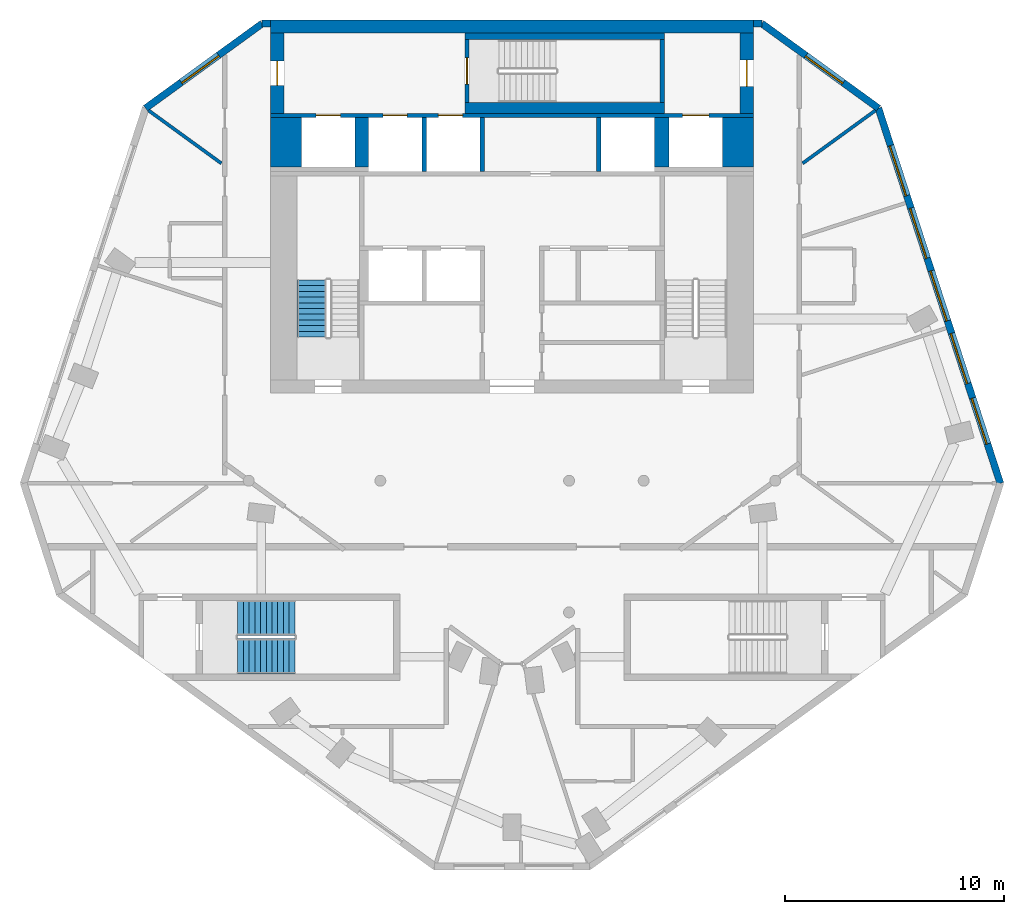
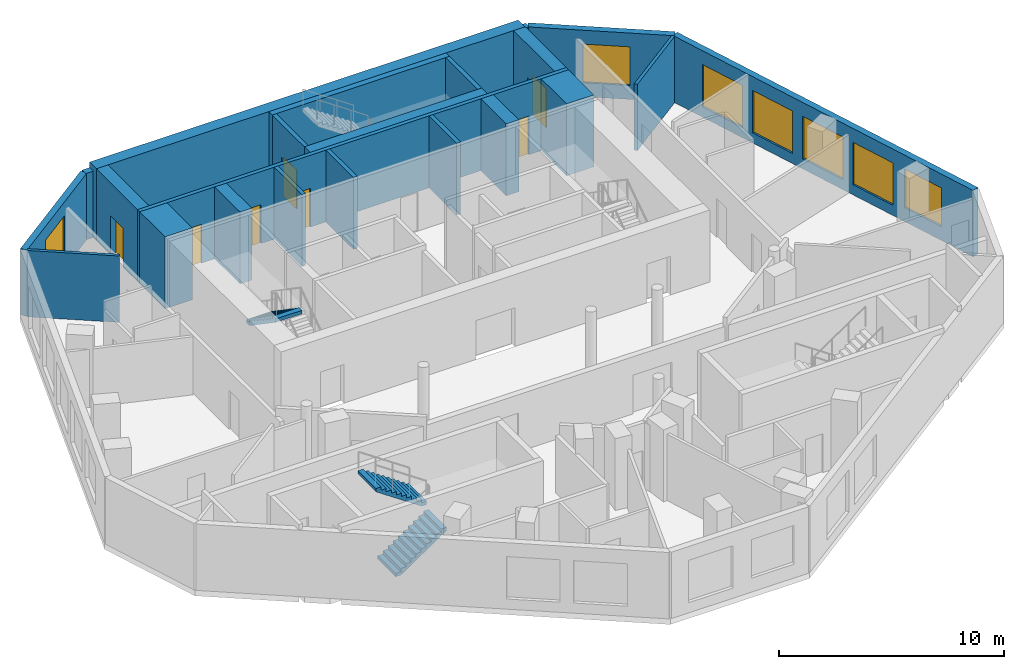
# One storey, part 5 of 8: 22 walls, 7 doors, 7 windows, 3 stair flights, 14 openings, 2 elements without a shape of their own.
"""IFC4 building model written with IfcOpenShell, lengths in metres."""

from ifc_helpers import new_model, si_unit, direction, frame, frame_2d, origin, place, context, subcontext, project, spatial, polyline, rectangle, outline, extrude, material, layer, layer_set, type_object, element, fill, aggregate, save


model = new_model("IFC4")

# Units and contexts
model_context = context("Model", 3, precision=1e-05, world=origin(), true_north=direction((0.0, 1.0)))
body_context = subcontext(model_context, "Body", "Model", "MODEL_VIEW")
ifc_project = project(units=[si_unit("LENGTHUNIT", "METRE"), si_unit("AREAUNIT", "SQUARE_METRE"), si_unit("VOLUMEUNIT", "CUBIC_METRE"), si_unit("PLANEANGLEUNIT", "RADIAN"), si_unit("MASSUNIT", "GRAM", prefix="KILO")], contexts=[model_context])

# Site, building, storey
site_placement = place(None, origin())
site = spatial("IfcSite", under=ifc_project, at=site_placement, CompositionType="ELEMENT")
building_placement = place(site_placement, origin())
building = spatial("IfcBuilding", under=site, at=building_placement, Name="White Candle Pilgrim Tower", CompositionType="ELEMENT")
storey_placement = place(building_placement, frame((0.0, 0.0, 310.0)))
storey = spatial("IfcBuildingStorey", under=building, at=storey_placement, Name="L73", CompositionType="ELEMENT", Elevation=310.0)

# Walls
ifc_material_1 = material(Name="Concrete C40/50", Category="concrete")
ifc_layer_1 = layer(ifc_material_1, 1.39990234375)
ifc_layer_set_1 = layer_set([ifc_layer_1], Name="Core wall 1400 mm Concrete C40/50")
wall_type_1 = type_object("IfcWallType", Name="Core wall 1400 mm Concrete C40/50", PredefinedType="SHEAR", material=ifc_layer_set_1)
for number, where, z_axis, x_axis, name in (
    (1, (59.699951171875, 81.300048828125, 0.0), (0.0, 0.0, 1.0), (0.0, 1.0, 0.0), "WL-L73-C39"),
    (2, (80.300048828125, 81.300048828125, 0.0), (0.0, 0.0, 1.0), (0.0, 1.0, 0.0), "WL-L73-C42"),
):
    element("IfcWall", number, at=place(storey_placement, frame(where, z_axis=z_axis, x_axis=x_axis)), inside=storey, type_object=wall_type_1, Name=name, PredefinedType="SHEAR", context=body_context, shape_type="SweptSolid", body=[
        extrude(rectangle(XDim=2.25, YDim=1.39990234375, at=frame_2d((1.125, 0.0))), origin(), (0.0, 0.0, 1.0), 3.89990234375),
    ])

# Wall, openings, doors
ifc_layer_2 = layer(ifc_material_1, 0.199951171875)
ifc_layer_set_2 = layer_set([ifc_layer_2], Name="Core wall 200 mm Concrete C40/50")
wall_type_2 = type_object("IfcWallType", Name="Core wall 200 mm Concrete C40/50", PredefinedType="SHEAR", material=ifc_layer_set_2)
wall_1_placement = place(storey_placement, frame((59.0, 83.64990234375, 0.0), z_axis=(0.0, 0.0, 1.0), x_axis=(1.0, 0.0, 0.0)))
wall_1 = element("IfcWall", 3, at=wall_1_placement, inside=storey, type_object=wall_type_2, Name="WL-L73-C43", PredefinedType="SHEAR", context=body_context, shape_type="SweptSolid", body=[
    extrude(rectangle(XDim=22.0, YDim=0.199951171875, at=frame_2d((11.0, 0.0))), origin(), (0.0, 0.0, 1.0), 3.89990234375),
])
opening_1_placement = place(wall_1_placement, frame((5.125, 0.0, 0.0)))
opening_1 = element("IfcOpeningElement", 4, at=opening_1_placement, cuts=wall_1, Name="Opening T22-016", PredefinedType="OPENING", context=body_context, shape_type="SweptSolid", body=[
    extrude(rectangle(XDim=1.10009765625, YDim=2.10009765625, at=frame_2d((0.550048828125, 1.050048828125))), frame((0.0, 0.10986328125, 0.0), z_axis=(0.0, -1.0, 0.0), x_axis=(1.0, 0.0, 0.0)), (0.0, 0.0, 1.0), 0.219970703125),
])
opening_2_placement = place(wall_1_placement, frame((7.64990234375, 0.0, 0.0)))
opening_2 = element("IfcOpeningElement", 5, at=opening_2_placement, cuts=wall_1, Name="Opening T22-017", PredefinedType="OPENING", context=body_context, shape_type="SweptSolid", body=[
    extrude(rectangle(XDim=1.10009765625, YDim=2.10009765625, at=frame_2d((0.550048828125, 1.050048828125))), frame((0.0, 0.10986328125, 0.0), z_axis=(0.0, -1.0, 0.0), x_axis=(1.0, 0.0, 0.0)), (0.0, 0.0, 1.0), 0.219970703125),
])
opening_3_placement = place(wall_1_placement, frame((18.77490234375, 0.0, 0.0)))
opening_3 = element("IfcOpeningElement", 6, at=opening_3_placement, cuts=wall_1, Name="Opening T22-018", PredefinedType="OPENING", context=body_context, shape_type="SweptSolid", body=[
    extrude(rectangle(XDim=1.199951171875, YDim=2.10009765625, at=frame_2d((0.60009765625, 1.050048828125))), frame((0.0, 0.10986328125, 0.0), z_axis=(0.0, -1.0, 0.0), x_axis=(1.0, 0.0, 0.0)), (0.0, 0.0, 1.0), 0.219970703125),
])
opening_4_placement = place(wall_1_placement, frame((2.074951171875, 0.0, 0.0)))
opening_4 = element("IfcOpeningElement", 7, at=opening_4_placement, cuts=wall_1, Name="Opening T22-019", PredefinedType="OPENING", context=body_context, shape_type="SweptSolid", body=[
    extrude(rectangle(XDim=1.10009765625, YDim=2.10009765625, at=frame_2d((0.550048828125, 1.050048828125))), frame((0.0, 0.10986328125, 0.0), z_axis=(0.0, -1.0, 0.0), x_axis=(1.0, 0.0, 0.0)), (0.0, 0.0, 1.0), 0.219970703125),
])
ifc_material_2 = material(Name="Stainless steel", Category="steel")
door_type_1 = type_object("IfcDoorType", Name="Lift landing door 1100 x 2100 EI 60", OperationType="DOUBLE_DOOR_SLIDING", PredefinedType="DOOR", material=ifc_material_2)
door_1_placement = place(opening_1_placement, origin())
door_1 = element("IfcDoor", 8, at=door_1_placement, inside=storey, type_object=door_type_1, Name="Door T22-016", OperationType="DOUBLE_DOOR_SLIDING", OverallHeight=2.10009765625, OverallWidth=1.10009765625, PredefinedType="DOOR", context=body_context, shape_type="SweptSolid", body=[
    extrude(rectangle(XDim=1.10009765625, YDim=2.10009765625, at=frame_2d((0.550048828125, 1.050048828125))), frame((0.0, 0.02490234375, 0.0), z_axis=(0.0, -1.0, 0.0), x_axis=(1.0, 0.0, 0.0)), (0.0, 0.0, 1.0), 0.050048828125),
])
fill(opening_1, door_1)
door_2_placement = place(opening_2_placement, origin())
door_2 = element("IfcDoor", 9, at=door_2_placement, inside=storey, type_object=door_type_1, Name="Door T22-017", OperationType="DOUBLE_DOOR_SLIDING", OverallHeight=2.10009765625, OverallWidth=1.10009765625, PredefinedType="DOOR", context=body_context, shape_type="SweptSolid", body=[
    extrude(rectangle(XDim=1.10009765625, YDim=2.10009765625, at=frame_2d((0.550048828125, 1.050048828125))), frame((0.0, 0.02490234375, 0.0), z_axis=(0.0, -1.0, 0.0), x_axis=(1.0, 0.0, 0.0)), (0.0, 0.0, 1.0), 0.050048828125),
])
fill(opening_2, door_2)
door_3_placement = place(opening_4_placement, origin())
door_3 = element("IfcDoor", 10, at=door_3_placement, inside=storey, type_object=door_type_1, Name="Door T22-019", OperationType="DOUBLE_DOOR_SLIDING", OverallHeight=2.10009765625, OverallWidth=1.10009765625, PredefinedType="DOOR", context=body_context, shape_type="SweptSolid", body=[
    extrude(rectangle(XDim=1.10009765625, YDim=2.10009765625, at=frame_2d((0.550048828125, 1.050048828125))), frame((0.0, 0.02490234375, 0.0), z_axis=(0.0, -1.0, 0.0), x_axis=(1.0, 0.0, 0.0)), (0.0, 0.0, 1.0), 0.050048828125),
])
fill(opening_4, door_3)
door_type_2 = type_object("IfcDoorType", Name="Lift landing door 1200 x 2100 E 60", OperationType="DOUBLE_DOOR_SLIDING", PredefinedType="DOOR", material=ifc_material_2)
door_4_placement = place(opening_3_placement, origin())
door_4 = element("IfcDoor", 11, at=door_4_placement, inside=storey, type_object=door_type_2, Name="Door T22-018", OperationType="DOUBLE_DOOR_SLIDING", OverallHeight=2.10009765625, OverallWidth=1.199951171875, PredefinedType="DOOR", context=body_context, shape_type="SweptSolid", body=[
    extrude(rectangle(XDim=1.199951171875, YDim=2.10009765625, at=frame_2d((0.60009765625, 1.050048828125))), frame((0.0, 0.02490234375, 0.0), z_axis=(0.0, -1.0, 0.0), x_axis=(1.0, 0.0, 0.0)), (0.0, 0.0, 1.0), 0.050048828125),
])
fill(opening_3, door_4)

# Wall, opening, door
ifc_layer_3 = layer(ifc_material_1, 0.60009765625)
ifc_layer_set_3 = layer_set([ifc_layer_3], Name="Core wall 600 mm Concrete C40/50")
wall_type_3 = type_object("IfcWallType", Name="Core wall 600 mm Concrete C40/50", PredefinedType="SHEAR", material=ifc_layer_set_3)
wall_2_placement = place(storey_placement, frame((59.300048828125, 83.75, 0.0), z_axis=(0.0, 0.0, 1.0), x_axis=(0.0, 1.0, 0.0)))
wall_2 = element("IfcWall", 12, at=wall_2_placement, inside=storey, type_object=wall_type_3, Name="WL-L73-C44", PredefinedType="SHEAR", context=body_context, shape_type="SweptSolid", body=[
    extrude(rectangle(XDim=3.64990234375, YDim=0.60009765625, at=frame_2d((1.824951171875, 0.0))), origin(), (0.0, 0.0, 1.0), 3.89990234375),
])
opening_5_placement = place(wall_2_placement, frame((1.27490234375, 0.0, 0.0)))
opening_5 = element("IfcOpeningElement", 13, at=opening_5_placement, cuts=wall_2, Name="Opening T22-008", PredefinedType="OPENING", context=body_context, shape_type="SweptSolid", body=[
    extrude(rectangle(XDim=1.10009765625, YDim=2.10009765625, at=frame_2d((0.550048828125, 1.050048828125))), frame((0.0, 0.31005859375, 0.0), z_axis=(0.0, -1.0, 0.0), x_axis=(1.0, 0.0, 0.0)), (0.0, 0.0, 1.0), 0.6201171875),
])
ifc_material_3 = material(Name="Steel door leaf", Category="steel")
door_type_3 = type_object("IfcDoorType", Name="Fire door 1100 x 2100 EI 60", OperationType="NOTDEFINED", PredefinedType="DOOR", material=ifc_material_3)
door_5_placement = place(opening_5_placement, origin())
door_5 = element("IfcDoor", 14, at=door_5_placement, inside=storey, type_object=door_type_3, Name="Door T22-008", OperationType="SINGLE_SWING_RIGHT", OverallHeight=2.10009765625, OverallWidth=1.10009765625, PredefinedType="DOOR", context=body_context, shape_type="SweptSolid", body=[
    extrude(rectangle(XDim=1.10009765625, YDim=2.10009765625, at=frame_2d((0.550048828125, 1.050048828125))), frame((0.0, 0.02490234375, 0.0), z_axis=(0.0, -1.0, 0.0), x_axis=(1.0, 0.0, 0.0)), (0.0, 0.0, 1.0), 0.050048828125),
])
fill(opening_5, door_5)

wall_3_placement = place(storey_placement, frame((80.699951171875, 83.75, 0.0), z_axis=(0.0, 0.0, 1.0), x_axis=(0.0, 1.0, 0.0)))
wall_3 = element("IfcWall", 15, at=wall_3_placement, inside=storey, type_object=wall_type_3, Name="WL-L73-C46", PredefinedType="SHEAR", context=body_context, shape_type="SweptSolid", body=[
    extrude(rectangle(XDim=3.64990234375, YDim=0.60009765625, at=frame_2d((1.824951171875, 0.0))), origin(), (0.0, 0.0, 1.0), 3.89990234375),
])
opening_6_placement = place(wall_3_placement, frame((1.22509765625, 0.0, 0.0)))
opening_6 = element("IfcOpeningElement", 16, at=opening_6_placement, cuts=wall_3, Name="Opening T22-009", PredefinedType="OPENING", context=body_context, shape_type="SweptSolid", body=[
    extrude(rectangle(XDim=1.199951171875, YDim=2.10009765625, at=frame_2d((0.60009765625, 1.050048828125))), frame((0.0, 0.31005859375, 0.0), z_axis=(0.0, -1.0, 0.0), x_axis=(1.0, 0.0, 0.0)), (0.0, 0.0, 1.0), 0.6201171875),
])
door_type_4 = type_object("IfcDoorType", Name="Fire door 1200 x 2100 EI 30", OperationType="NOTDEFINED", PredefinedType="DOOR", material=ifc_material_3)
door_6_placement = place(opening_6_placement, origin())
door_6 = element("IfcDoor", 17, at=door_6_placement, inside=storey, type_object=door_type_4, Name="Door T22-009", OperationType="SINGLE_SWING_LEFT", OverallHeight=2.10009765625, OverallWidth=1.199951171875, PredefinedType="DOOR", context=body_context, shape_type="SweptSolid", body=[
    extrude(rectangle(XDim=1.199951171875, YDim=2.10009765625, at=frame_2d((0.60009765625, 1.050048828125))), frame((0.0, 0.02490234375, 0.0), z_axis=(0.0, -1.0, 0.0), x_axis=(1.0, 0.0, 0.0)), (0.0, 0.0, 1.0), 0.050048828125),
])
fill(opening_6, door_6)

# Wall
wall_4_placement = place(storey_placement, frame((59.0, 87.699951171875, 0.0), z_axis=(0.0, 0.0, 1.0), x_axis=(1.0, 0.0, 0.0)))
element("IfcWall", 18, at=wall_4_placement, inside=storey, type_object=wall_type_3, Name="WL-L73-C50", PredefinedType="SHEAR", context=body_context, shape_type="SweptSolid", body=[
    extrude(rectangle(XDim=22.0, YDim=0.60009765625, at=frame_2d((11.0, 0.0))), origin(), (0.0, 0.0, 1.0), 3.89990234375),
])

# Wall, openings, windows
ifc_material_4 = material(Name="Precast concrete C40/50", Category="concrete")
ifc_layer_4 = layer(ifc_material_4, 0.320068359375)
ifc_layer_set_4 = layer_set([ifc_layer_4], Name="Facade wall EW1 precast concrete C40/50 pier wall with timber-lined reveals")
wall_type_4 = type_object("IfcWallType", Name="Facade wall EW1 precast concrete C40/50 pier wall with timber-lined reveals", PredefinedType="SOLIDWALL", material=ifc_layer_set_4)
wall_5_placement = place(storey_placement, frame((92.255859375, 66.8837890625, 0.0), z_axis=(0.0, 0.0, 1.0), x_axis=(-0.309017883781, 0.951056227309, 0.0)))
wall_5 = element("IfcWall", 19, at=wall_5_placement, inside=storey, type_object=wall_type_4, Name="Facade wall L73 ENE", PredefinedType="SOLIDWALL", context=body_context, shape_type="SweptSolid", body=[
    extrude(rectangle(XDim=17.972900390625, YDim=0.320068359375, at=frame_2d((8.986328125, 0.0))), origin(), (0.0, 0.0, 1.0), 3.60009765625),
])
opening_7_placement = place(wall_5_placement, frame((1.886474609375, 0.0, 0.75)))
opening_7 = element("IfcOpeningElement", 20, at=opening_7_placement, cuts=wall_5, Name="Opening W4", PredefinedType="OPENING", context=body_context, shape_type="SweptSolid", body=[
    extrude(rectangle(XDim=2.199951171875, YDim=2.10009765625, at=frame_2d((1.10009765625, 1.050048828125))), frame((0.0, 0.169921875, 0.0), z_axis=(0.0, -1.0, 0.0), x_axis=(1.0, 0.0, 0.0)), (0.0, 0.0, 1.0), 0.340087890625),
])
opening_8_placement = place(wall_5_placement, frame((4.78662109375, 0.0, 0.550048828125)))
opening_8 = element("IfcOpeningElement", 21, at=opening_8_placement, cuts=wall_5, Name="Opening W5", PredefinedType="OPENING", context=body_context, shape_type="SweptSolid", body=[
    extrude(rectangle(XDim=2.39990234375, YDim=2.300048828125, at=frame_2d((1.199951171875, 1.14990234375))), frame((0.0, 0.169921875, 0.0), z_axis=(0.0, -1.0, 0.0), x_axis=(1.0, 0.0, 0.0)), (0.0, 0.0, 1.0), 0.340087890625),
])
opening_9_placement = place(wall_5_placement, frame((7.78662109375, 0.0, 0.550048828125)))
opening_9 = element("IfcOpeningElement", 22, at=opening_9_placement, cuts=wall_5, Name="Opening W5", PredefinedType="OPENING", context=body_context, shape_type="SweptSolid", body=[
    extrude(rectangle(XDim=2.39990234375, YDim=2.300048828125, at=frame_2d((1.199951171875, 1.14990234375))), frame((0.0, 0.169921875, 0.0), z_axis=(0.0, -1.0, 0.0), x_axis=(1.0, 0.0, 0.0)), (0.0, 0.0, 1.0), 0.340087890625),
])
opening_10_placement = place(wall_5_placement, frame((10.78662109375, 0.0, 0.550048828125)))
opening_10 = element("IfcOpeningElement", 23, at=opening_10_placement, cuts=wall_5, Name="Opening W5", PredefinedType="OPENING", context=body_context, shape_type="SweptSolid", body=[
    extrude(rectangle(XDim=2.39990234375, YDim=2.300048828125, at=frame_2d((1.199951171875, 1.14990234375))), frame((0.0, 0.169921875, 0.0), z_axis=(0.0, -1.0, 0.0), x_axis=(1.0, 0.0, 0.0)), (0.0, 0.0, 1.0), 0.340087890625),
])
opening_11_placement = place(wall_5_placement, frame((13.78662109375, 0.0, 0.550048828125)))
opening_11 = element("IfcOpeningElement", 24, at=opening_11_placement, cuts=wall_5, Name="Opening W5", PredefinedType="OPENING", context=body_context, shape_type="SweptSolid", body=[
    extrude(rectangle(XDim=2.39990234375, YDim=2.300048828125, at=frame_2d((1.199951171875, 1.14990234375))), frame((0.0, 0.169921875, 0.0), z_axis=(0.0, -1.0, 0.0), x_axis=(1.0, 0.0, 0.0)), (0.0, 0.0, 1.0), 0.340087890625),
])
ifc_material_5 = material(Name="Timber frame with triple glazing", Category="wood")
window_type_1 = type_object("IfcWindowType", Name="Window W4 2200x2100 timber frame triple glazing", PartitioningType="SINGLE_PANEL", PredefinedType="WINDOW", material=ifc_material_5)
window_1_placement = place(opening_7_placement, origin())
window_1 = element("IfcWindow", 25, at=window_1_placement, inside=storey, type_object=window_type_1, Name="Window W4 L73 ENE 1", OverallHeight=2.10009765625, OverallWidth=2.199951171875, PartitioningType="SINGLE_PANEL", PredefinedType="WINDOW", context=body_context, shape_type="SweptSolid", body=[
    extrude(rectangle(XDim=2.199951171875, YDim=2.10009765625, at=frame_2d((1.10009765625, 1.050048828125))), frame((0.0, 0.070068359375, 0.0), z_axis=(0.0, -1.0, 0.0), x_axis=(1.0, 0.0, 0.0)), (0.0, 0.0, 1.0), 0.06005859375),
])
fill(opening_7, window_1)
window_type_2 = type_object("IfcWindowType", Name="Window W5 2400x2300 timber frame triple glazing", PartitioningType="SINGLE_PANEL", PredefinedType="WINDOW", material=ifc_material_5)
window_2_placement = place(opening_8_placement, origin())
window_2 = element("IfcWindow", 26, at=window_2_placement, inside=storey, type_object=window_type_2, Name="Window W5 L73 ENE 2", OverallHeight=2.300048828125, OverallWidth=2.39990234375, PartitioningType="SINGLE_PANEL", PredefinedType="WINDOW", context=body_context, shape_type="SweptSolid", body=[
    extrude(rectangle(XDim=2.39990234375, YDim=2.300048828125, at=frame_2d((1.199951171875, 1.14990234375))), frame((0.0, 0.070068359375, 0.0), z_axis=(0.0, -1.0, 0.0), x_axis=(1.0, 0.0, 0.0)), (0.0, 0.0, 1.0), 0.06005859375),
])
fill(opening_8, window_2)
window_3_placement = place(opening_9_placement, origin())
window_3 = element("IfcWindow", 27, at=window_3_placement, inside=storey, type_object=window_type_2, Name="Window W5 L73 ENE 3", OverallHeight=2.300048828125, OverallWidth=2.39990234375, PartitioningType="SINGLE_PANEL", PredefinedType="WINDOW", context=body_context, shape_type="SweptSolid", body=[
    extrude(rectangle(XDim=2.39990234375, YDim=2.300048828125, at=frame_2d((1.199951171875, 1.14990234375))), frame((0.0, 0.070068359375, 0.0), z_axis=(0.0, -1.0, 0.0), x_axis=(1.0, 0.0, 0.0)), (0.0, 0.0, 1.0), 0.06005859375),
])
fill(opening_9, window_3)
window_4_placement = place(opening_10_placement, origin())
window_4 = element("IfcWindow", 28, at=window_4_placement, inside=storey, type_object=window_type_2, Name="Window W5 L73 ENE 4", OverallHeight=2.300048828125, OverallWidth=2.39990234375, PartitioningType="SINGLE_PANEL", PredefinedType="WINDOW", context=body_context, shape_type="SweptSolid", body=[
    extrude(rectangle(XDim=2.39990234375, YDim=2.300048828125, at=frame_2d((1.199951171875, 1.14990234375))), frame((0.0, 0.070068359375, 0.0), z_axis=(0.0, -1.0, 0.0), x_axis=(1.0, 0.0, 0.0)), (0.0, 0.0, 1.0), 0.06005859375),
])
fill(opening_10, window_4)
window_5_placement = place(opening_11_placement, origin())
window_5 = element("IfcWindow", 29, at=window_5_placement, inside=storey, type_object=window_type_2, Name="Window W5 L73 ENE 5", OverallHeight=2.300048828125, OverallWidth=2.39990234375, PartitioningType="SINGLE_PANEL", PredefinedType="WINDOW", context=body_context, shape_type="SweptSolid", body=[
    extrude(rectangle(XDim=2.39990234375, YDim=2.300048828125, at=frame_2d((1.199951171875, 1.14990234375))), frame((0.0, 0.070068359375, 0.0), z_axis=(0.0, -1.0, 0.0), x_axis=(1.0, 0.0, 0.0)), (0.0, 0.0, 1.0), 0.06005859375),
])
fill(opening_11, window_5)

# Wall, opening, window
wall_6_placement = place(storey_placement, frame((86.701904296875, 83.97705078125, 0.0), z_axis=(0.0, 0.0, 1.0), x_axis=(-0.809010691028, 0.587793928007, 0.0)))
wall_6 = element("IfcWall", 30, at=wall_6_placement, inside=storey, type_object=wall_type_4, Name="Facade wall L73 NE chamfer", PredefinedType="SOLIDWALL", context=body_context, shape_type="SweptSolid", body=[
    extrude(rectangle(XDim=6.572021484375, YDim=0.320068359375, at=frame_2d((3.2861328125, 0.0))), origin(), (0.0, 0.0, 1.0), 3.60009765625),
])
opening_12_placement = place(wall_6_placement, frame((1.98583984375, 0.0, 0.75)))
opening_12 = element("IfcOpeningElement", 31, at=opening_12_placement, cuts=wall_6, Name="Opening W3", PredefinedType="OPENING", context=body_context, shape_type="SweptSolid", body=[
    extrude(rectangle(XDim=2.10009765625, YDim=2.10009765625, at=frame_2d((1.050048828125, 1.050048828125))), frame((0.0, 0.169921875, 0.0), z_axis=(0.0, -1.0, 0.0), x_axis=(1.0, 0.0, 0.0)), (0.0, 0.0, 1.0), 0.340087890625),
])
window_type_3 = type_object("IfcWindowType", Name="Window W3 2100x2100 timber frame triple glazing", PartitioningType="SINGLE_PANEL", PredefinedType="WINDOW", material=ifc_material_5)
window_6_placement = place(opening_12_placement, origin())
window_6 = element("IfcWindow", 32, at=window_6_placement, inside=storey, type_object=window_type_3, Name="Window W3 L73 NE chamfer 1", OverallHeight=2.10009765625, OverallWidth=2.10009765625, PartitioningType="SINGLE_PANEL", PredefinedType="WINDOW", context=body_context, shape_type="SweptSolid", body=[
    extrude(rectangle(XDim=2.10009765625, YDim=2.10009765625, at=frame_2d((1.050048828125, 1.050048828125))), frame((0.0, 0.070068359375, 0.0), z_axis=(0.0, -1.0, 0.0), x_axis=(1.0, 0.0, 0.0)), (0.0, 0.0, 1.0), 0.06005859375),
])
fill(opening_12, window_6)

# Walls
for number, where, z_axis, x_axis, name in (
    (33, (81.385009765625, 87.840087890625, 0.0), (0.0, 0.0, 1.0), (-1.0, 0.0, 0.0), "Facade wall L73 N"),
    (34, (59.0, 87.840087890625, 0.0), (0.0, 0.0, 1.0), (-1.0, 0.0, 0.0), "Facade wall L73 N"),
):
    element("IfcWall", number, at=place(storey_placement, frame(where, z_axis=z_axis, x_axis=x_axis)), inside=storey, type_object=wall_type_4, Name=name, PredefinedType="SOLIDWALL", context=body_context, shape_type="SweptSolid", body=[
        extrude(rectangle(XDim=0.385009765625, YDim=0.320068359375, at=frame_2d((0.1923828125, 0.0))), origin(), (0.0, 0.0, 1.0), 3.60009765625),
    ])

# Wall, opening, window
wall_7_placement = place(storey_placement, frame((58.614990234375, 87.840087890625, 0.0), z_axis=(0.0, 0.0, 1.0), x_axis=(-0.809010691028, -0.587793928007, 0.0)))
wall_7 = element("IfcWall", 35, at=wall_7_placement, inside=storey, type_object=wall_type_4, Name="Facade wall L73 NW chamfer", PredefinedType="SOLIDWALL", context=body_context, shape_type="SweptSolid", body=[
    extrude(rectangle(XDim=6.572021484375, YDim=0.320068359375, at=frame_2d((3.2861328125, 0.0))), origin(), (0.0, 0.0, 1.0), 3.60009765625),
])
opening_13_placement = place(wall_7_placement, frame((2.459716796875, 0.0, 0.75)))
opening_13 = element("IfcOpeningElement", 36, at=opening_13_placement, cuts=wall_7, Name="Opening W3", PredefinedType="OPENING", context=body_context, shape_type="SweptSolid", body=[
    extrude(rectangle(XDim=2.10009765625, YDim=2.10009765625, at=frame_2d((1.050048828125, 1.050048828125))), frame((0.0, 0.169921875, 0.0), z_axis=(0.0, -1.0, 0.0), x_axis=(1.0, 0.0, 0.0)), (0.0, 0.0, 1.0), 0.340087890625),
])
window_7_placement = place(opening_13_placement, origin())
window_7 = element("IfcWindow", 37, at=window_7_placement, inside=storey, type_object=window_type_3, Name="Window W3 L73 NW chamfer 1", OverallHeight=2.10009765625, OverallWidth=2.10009765625, PartitioningType="SINGLE_PANEL", PredefinedType="WINDOW", context=body_context, shape_type="SweptSolid", body=[
    extrude(rectangle(XDim=2.10009765625, YDim=2.10009765625, at=frame_2d((1.050048828125, 1.050048828125))), frame((0.0, 0.070068359375, 0.0), z_axis=(0.0, -1.0, 0.0), x_axis=(1.0, 0.0, 0.0)), (0.0, 0.0, 1.0), 0.06005859375),
])
fill(opening_13, window_7)

# Walls
ifc_material_6 = material(Name="Gypsum board on steel studs", Category="steel")
ifc_layer_5 = layer(ifc_material_6, 0.14990234375)
ifc_layer_set_5 = layer_set([ifc_layer_5], Name="Partition 150 mm EI 60")
wall_type_5 = type_object("IfcWallType", Name="Partition 150 mm EI 60", PredefinedType="PARTITIONING", material=ifc_layer_set_5)
for number, where, z_axis, x_axis, name in (
    (38, (53.434326171875, 83.87841796875, 0.0), (0.0, 0.0, 1.0), (0.809005997221, -0.587800388279, 0.0), "WL-L73-P015"),
    (39, (86.565673828125, 83.87841796875, 0.0), (0.0, 0.0, 1.0), (-0.809005997221, -0.587800388279, 0.0), "WL-L73-P024"),
):
    element("IfcWall", number, at=place(storey_placement, frame(where, z_axis=z_axis, x_axis=x_axis)), inside=storey, type_object=wall_type_5, Name=name, PredefinedType="PARTITIONING", context=body_context, shape_type="SweptSolid", body=[
        extrude(rectangle(XDim=4.105712890625, YDim=0.14990234375, at=frame_2d((2.052734375, 0.0))), origin(), (0.0, 0.0, 1.0), 3.60009765625),
    ])
ifc_layer_6 = layer(ifc_material_1, 0.199951171875)
ifc_layer_set_6 = layer_set([ifc_layer_6], Name="Shaft wall 200 mm Concrete C40/50")
wall_type_6 = type_object("IfcWallType", Name="Shaft wall 200 mm Concrete C40/50", PredefinedType="SHEAR", material=ifc_layer_set_6)
for number, where, z_axis, x_axis, name in (
    (40, (66.0, 81.10009765625, 0.0), (0.0, 0.0, 1.0), (0.0, 1.0, 0.0), "WL-L73-C35"),
    (41, (68.64990234375, 81.10009765625, 0.0), (0.0, 0.0, 1.0), (0.0, 1.0, 0.0), "WL-L73-C36"),
    (42, (73.949951171875, 81.10009765625, 0.0), (0.0, 0.0, 1.0), (0.0, 1.0, 0.0), "WL-L73-C37"),
):
    element("IfcWall", number, at=place(storey_placement, frame(where, z_axis=z_axis, x_axis=x_axis)), inside=storey, type_object=wall_type_6, Name=name, PredefinedType="SHEAR", context=body_context, shape_type="SweptSolid", body=[
        extrude(rectangle(XDim=2.449951171875, YDim=0.199951171875, at=frame_2d((1.22509765625, 0.0))), origin(), (0.0, 0.0, 1.0), 3.89990234375),
    ])
ifc_layer_7 = layer(ifc_material_1, 0.60009765625)
ifc_layer_set_7 = layer_set([ifc_layer_7], Name="Shaft wall 600 mm Concrete C40/50")
wall_type_7 = type_object("IfcWallType", Name="Shaft wall 600 mm Concrete C40/50", PredefinedType="SHEAR", material=ifc_layer_set_7)
wall_8_placement = place(storey_placement, frame((63.14990234375, 81.300048828125, 0.0), z_axis=(0.0, 0.0, 1.0), x_axis=(0.0, 1.0, 0.0)))
element("IfcWall", 43, at=wall_8_placement, inside=storey, type_object=wall_type_7, Name="WL-L73-C40", PredefinedType="SHEAR", context=body_context, shape_type="SweptSolid", body=[
    extrude(rectangle(XDim=2.25, YDim=0.60009765625, at=frame_2d((1.125, 0.0))), origin(), (0.0, 0.0, 1.0), 3.89990234375),
])
ifc_layer_8 = layer(ifc_material_1, 0.64990234375)
ifc_layer_set_8 = layer_set([ifc_layer_8], Name="Shaft wall 650 mm Concrete C40/50")
wall_type_8 = type_object("IfcWallType", Name="Shaft wall 650 mm Concrete C40/50", PredefinedType="SHEAR", material=ifc_layer_set_8)
wall_9_placement = place(storey_placement, frame((76.824951171875, 81.300048828125, 0.0), z_axis=(0.0, 0.0, 1.0), x_axis=(0.0, 1.0, 0.0)))
element("IfcWall", 44, at=wall_9_placement, inside=storey, type_object=wall_type_8, Name="WL-L73-C41", PredefinedType="SHEAR", context=body_context, shape_type="SweptSolid", body=[
    extrude(rectangle(XDim=2.25, YDim=0.64990234375, at=frame_2d((1.125, 0.0))), origin(), (0.0, 0.0, 1.0), 3.89990234375),
])

# Wall, opening, door
ifc_layer_9 = layer(ifc_material_1, 0.199951171875)
ifc_layer_set_9 = layer_set([ifc_layer_9], Name="Stair shaft wall 200 mm Concrete C40/50")
wall_type_9 = type_object("IfcWallType", Name="Stair shaft wall 200 mm Concrete C40/50", PredefinedType="SHEAR", material=ifc_layer_set_9)
wall_10_placement = place(storey_placement, frame((67.949951171875, 84.25, 0.0), z_axis=(0.0, 0.0, 1.0), x_axis=(0.0, 1.0, 0.0)))
wall_10 = element("IfcWall", 45, at=wall_10_placement, inside=storey, type_object=wall_type_9, Name="WL-L73-C47", PredefinedType="SHEAR", context=body_context, shape_type="SweptSolid", body=[
    extrude(rectangle(XDim=2.85009765625, YDim=0.199951171875, at=frame_2d((1.425048828125, 0.0))), origin(), (0.0, 0.0, 1.0), 3.89990234375),
])
opening_14_placement = place(wall_10_placement, frame((0.824951171875, 0.0, 0.0)))
opening_14 = element("IfcOpeningElement", 46, at=opening_14_placement, cuts=wall_10, Name="Opening T22-003", PredefinedType="OPENING", context=body_context, shape_type="SweptSolid", body=[
    extrude(rectangle(XDim=1.199951171875, YDim=2.10009765625, at=frame_2d((0.60009765625, 1.050048828125))), frame((0.0, 0.10986328125, 0.0), z_axis=(0.0, -1.0, 0.0), x_axis=(1.0, 0.0, 0.0)), (0.0, 0.0, 1.0), 0.219970703125),
])
door_type_5 = type_object("IfcDoorType", Name="Fire door 1200 x 2100 EI 60", OperationType="NOTDEFINED", PredefinedType="DOOR", material=ifc_material_3)
door_7_placement = place(opening_14_placement, frame((1.199951171875, 0.0, 0.0), z_axis=(0.0, 0.0, 1.0), x_axis=(-1.0, 0.0, 0.0)))
door_7 = element("IfcDoor", 47, at=door_7_placement, inside=storey, type_object=door_type_5, Name="Door T22-003", OperationType="SINGLE_SWING_RIGHT", OverallHeight=2.10009765625, OverallWidth=1.199951171875, PredefinedType="DOOR", context=body_context, shape_type="SweptSolid", body=[
    extrude(rectangle(XDim=1.199951171875, YDim=2.10009765625, at=frame_2d((0.60009765625, 1.050048828125))), frame((0.0, 0.02490234375, 0.0), z_axis=(0.0, -1.0, 0.0), x_axis=(1.0, 0.0, 0.0)), (0.0, 0.0, 1.0), 0.050048828125),
])
fill(opening_14, door_7)

# Walls
wall_11_placement = place(storey_placement, frame((76.85009765625, 84.25, 0.0), z_axis=(0.0, 0.0, 1.0), x_axis=(0.0, 1.0, 0.0)))
element("IfcWall", 48, at=wall_11_placement, inside=storey, type_object=wall_type_9, Name="WL-L73-C48", PredefinedType="SHEAR", context=body_context, shape_type="SweptSolid", body=[
    extrude(rectangle(XDim=2.85009765625, YDim=0.199951171875, at=frame_2d((1.425048828125, 0.0))), origin(), (0.0, 0.0, 1.0), 3.89990234375),
])
ifc_layer_10 = layer(ifc_material_1, 0.300048828125)
ifc_layer_set_10 = layer_set([ifc_layer_10], Name="Stair shaft wall 300 mm Concrete C40/50")
wall_type_10 = type_object("IfcWallType", Name="Stair shaft wall 300 mm Concrete C40/50", PredefinedType="SHEAR", material=ifc_layer_set_10)
wall_12_placement = place(storey_placement, frame((67.85009765625, 87.25, 0.0), z_axis=(0.0, 0.0, 1.0), x_axis=(1.0, 0.0, 0.0)))
element("IfcWall", 49, at=wall_12_placement, inside=storey, type_object=wall_type_10, Name="WL-L73-C49", PredefinedType="SHEAR", context=body_context, shape_type="SweptSolid", body=[
    extrude(rectangle(XDim=9.099853515625, YDim=0.300048828125, at=frame_2d((4.5498046875, 0.0))), origin(), (0.0, 0.0, 1.0), 3.89990234375),
])
ifc_layer_11 = layer(ifc_material_1, 0.5)
ifc_layer_set_11 = layer_set([ifc_layer_11], Name="Stair shaft wall 500 mm Concrete C40/50")
wall_type_11 = type_object("IfcWallType", Name="Stair shaft wall 500 mm Concrete C40/50", PredefinedType="SHEAR", material=ifc_layer_set_11)
wall_13_placement = place(storey_placement, frame((67.85009765625, 84.0, 0.0), z_axis=(0.0, 0.0, 1.0), x_axis=(1.0, 0.0, 0.0)))
element("IfcWall", 50, at=wall_13_placement, inside=storey, type_object=wall_type_11, Name="WL-L73-C45", PredefinedType="SHEAR", context=body_context, shape_type="SweptSolid", body=[
    extrude(rectangle(XDim=9.099853515625, YDim=0.5, at=frame_2d((4.5498046875, 0.0))), origin(), (0.0, 0.0, 1.0), 3.89990234375),
])

# Stair, stair flight
stair_type_1 = type_object("IfcStairType", Name="Exit stair 1 flight width 1350 mm", PredefinedType="HALF_TURN_STAIR", material=ifc_material_1)
stair_1_placement = place(storey_placement, origin())
stair_1 = element("IfcStair", 51, at=stair_1_placement, inside=storey, type_object=stair_type_1, Name="L73 stair 1", PredefinedType="NOTDEFINED")
ifc_layer_12 = layer(ifc_material_1, 0.14990234375)
ifc_layer_set_12 = layer_set([ifc_layer_12], Name="Stair flight Concrete C40/50")
stair_flight_type = type_object("IfcStairFlightType", Name="Stair flight Concrete C40/50", PredefinedType="STRAIGHT", material=ifc_layer_set_12)
stair_flight_1_placement = place(storey_placement, frame((60.875, 76.14990234375, 1.949951171875), z_axis=(0.0, 0.0, 1.0), x_axis=(0.0, -1.0, 0.0)))
stair_flight_1 = element("IfcStairFlight", 52, at=stair_flight_1_placement, type_object=stair_flight_type, Name="ST1 flight 2", NumberOfRisers=11, NumberOfTreads=10, PredefinedType="NOTDEFINED", RiserHeight=0.177272727, TreadLength=0.26, context=body_context, shape_type="SweptSolid", body=[
    extrude(outline(polyline([(0.0, 0.0), (0.0, 0.17724609375), (0.260009765625, 0.17724609375), (0.260009765625, 0.3544921875), (0.52001953125, 0.3544921875), (0.52001953125, 0.53173828125), (0.780029296875, 0.53173828125), (0.780029296875, 0.708984375), (1.0400390625, 0.708984375), (1.0400390625, 0.886474609375), (1.300048828125, 0.886474609375), (1.300048828125, 1.063720703125), (1.56005859375, 1.063720703125), (1.56005859375, 1.240966796875), (1.820068359375, 1.240966796875), (1.820068359375, 1.418212890625), (2.080078125, 1.418212890625), (2.080078125, 1.595458984375), (2.340087890625, 1.595458984375), (2.340087890625, 1.772705078125), (2.60009765625, 1.772705078125), (2.60009765625, 1.949951171875), (2.60009765625, 1.59130859375), (0.26611328125, 0.0), (0.0, 0.0)])), frame((0.0, 0.675048828125, 0.0), z_axis=(0.0, -1.0, 0.0), x_axis=(1.0, 0.0, 0.0)), (0.0, 0.0, 1.0), 1.35009765625),
])
aggregate(stair_1, [stair_flight_1])

# Stair, stair flights
stair_type_2 = type_object("IfcStairType", Name="Exit stair 5 flight width 1600 mm", PredefinedType="HALF_TURN_STAIR", material=ifc_material_1)
stair_2_placement = place(storey_placement, origin())
stair_2 = element("IfcStair", 53, at=stair_2_placement, inside=storey, type_object=stair_type_2, Name="L73 stair 5", PredefinedType="NOTDEFINED")
stair_flight_2_placement = place(storey_placement, frame((57.5, 59.0, 0.0), z_axis=(0.0, 0.0, 1.0), x_axis=(1.0, 0.0, 0.0)))
stair_flight_2 = element("IfcStairFlight", 54, at=stair_flight_2_placement, type_object=stair_flight_type, Name="ST5 flight 1", NumberOfRisers=11, NumberOfTreads=10, PredefinedType="NOTDEFINED", RiserHeight=0.177272727, TreadLength=0.26, context=body_context, shape_type="SweptSolid", body=[
    extrude(outline(polyline([(0.0, 0.0), (0.0, 0.17724609375), (0.260009765625, 0.17724609375), (0.260009765625, 0.3544921875), (0.52001953125, 0.3544921875), (0.52001953125, 0.53173828125), (0.780029296875, 0.53173828125), (0.780029296875, 0.708984375), (1.0400390625, 0.708984375), (1.0400390625, 0.886474609375), (1.300048828125, 0.886474609375), (1.300048828125, 1.063720703125), (1.56005859375, 1.063720703125), (1.56005859375, 1.240966796875), (1.820068359375, 1.240966796875), (1.820068359375, 1.418212890625), (2.080078125, 1.418212890625), (2.080078125, 1.595458984375), (2.340087890625, 1.595458984375), (2.340087890625, 1.772705078125), (2.60009765625, 1.772705078125), (2.60009765625, 1.949951171875), (2.60009765625, 1.59130859375), (0.26611328125, 0.0), (0.0, 0.0)])), frame((0.0, 0.800048828125, 0.0), z_axis=(0.0, -1.0, 0.0), x_axis=(1.0, 0.0, 0.0)), (0.0, 0.0, 1.0), 1.60009765625),
])
stair_flight_3_placement = place(storey_placement, frame((60.10009765625, 60.75, 1.949951171875), z_axis=(0.0, 0.0, 1.0), x_axis=(-1.0, 0.0, 0.0)))
stair_flight_3 = element("IfcStairFlight", 55, at=stair_flight_3_placement, type_object=stair_flight_type, Name="ST5 flight 2", NumberOfRisers=11, NumberOfTreads=10, PredefinedType="NOTDEFINED", RiserHeight=0.177272727, TreadLength=0.26, context=body_context, shape_type="SweptSolid", body=[
    extrude(outline(polyline([(0.0, 0.0), (0.0, 0.17724609375), (0.260009765625, 0.17724609375), (0.260009765625, 0.3544921875), (0.52001953125, 0.3544921875), (0.52001953125, 0.53173828125), (0.780029296875, 0.53173828125), (0.780029296875, 0.708984375), (1.0400390625, 0.708984375), (1.0400390625, 0.886474609375), (1.300048828125, 0.886474609375), (1.300048828125, 1.063720703125), (1.56005859375, 1.063720703125), (1.56005859375, 1.240966796875), (1.820068359375, 1.240966796875), (1.820068359375, 1.418212890625), (2.080078125, 1.418212890625), (2.080078125, 1.595458984375), (2.340087890625, 1.595458984375), (2.340087890625, 1.772705078125), (2.60009765625, 1.772705078125), (2.60009765625, 1.949951171875), (2.60009765625, 1.59130859375), (0.26611328125, 0.0), (0.0, 0.0)])), frame((0.0, 0.800048828125, 0.0), z_axis=(0.0, -1.0, 0.0), x_axis=(1.0, 0.0, 0.0)), (0.0, 0.0, 1.0), 1.60009765625),
])
aggregate(stair_2, [stair_flight_2, stair_flight_3])

save(model, "model.ifc")
